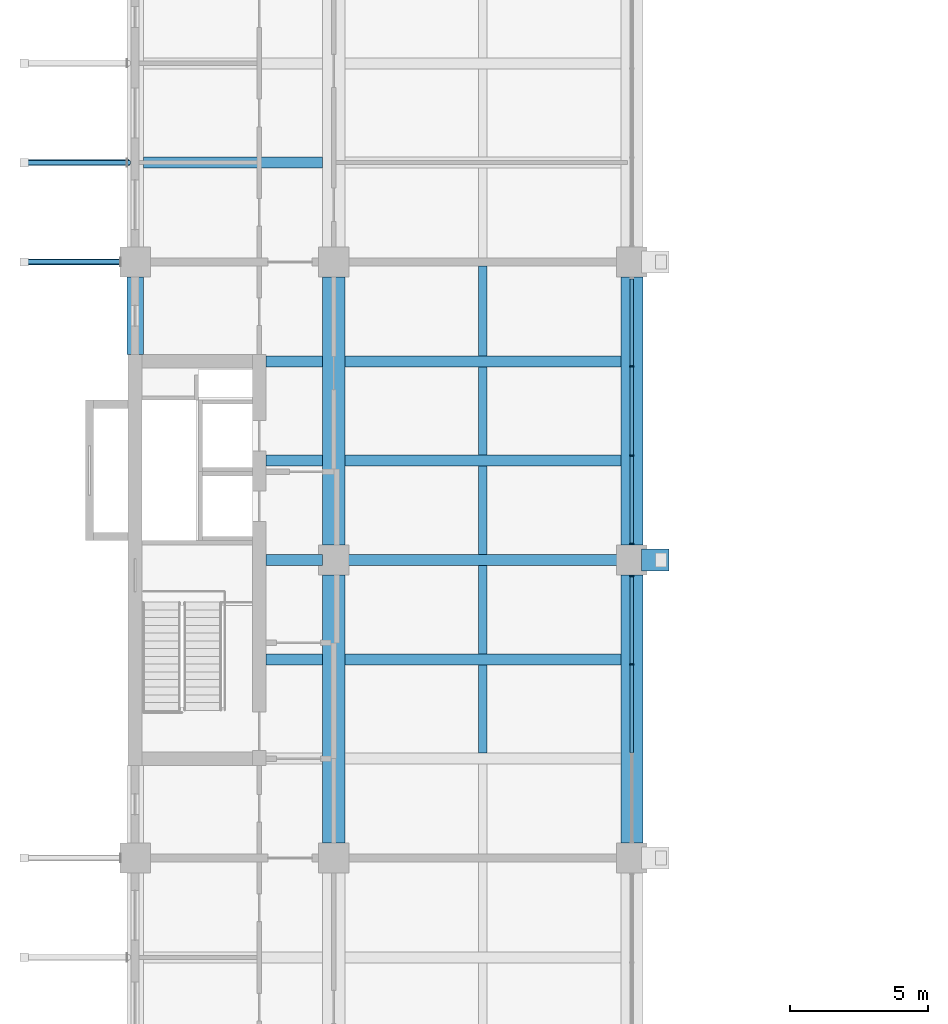
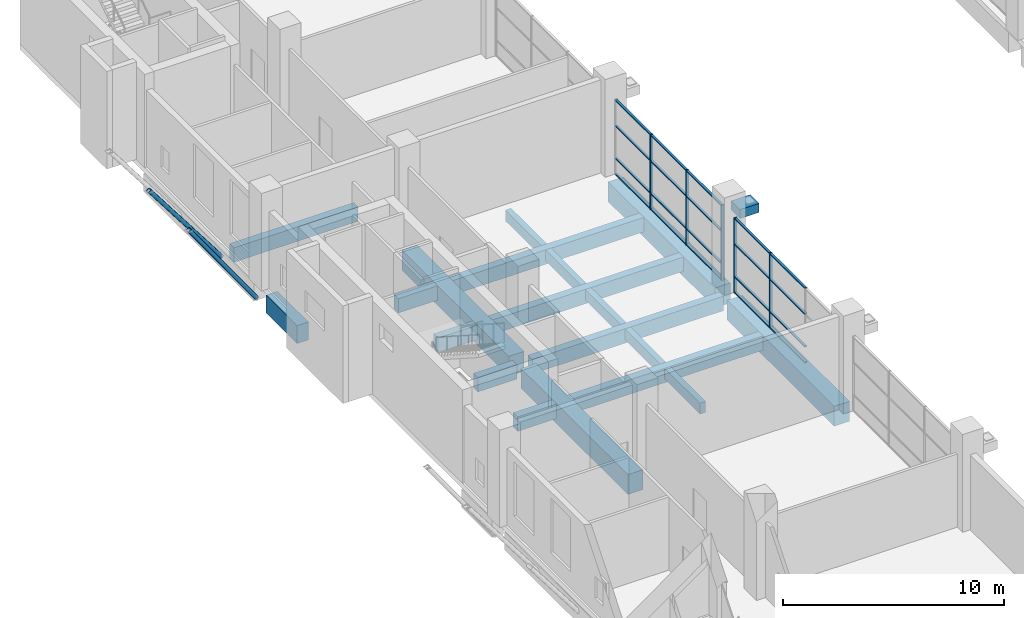
# One storey, part 6 of 38: 27 members, 20 beams, 2 elements without a shape of their own.
"""IFC4 building model written with IfcOpenShell, lengths in metres."""

import ifcopenshell
import ifcopenshell.guid

model = None  # the IFC model being written
_history = None  # IfcOwnerHistory: only IFC2X3 demands one
_inside = {}  # id of a spatial element -> (the spatial element, [elements in it])
_under = {}  # id of a project, library or spatial element -> (it, [spatial elements below it])
_declared = {}  # id of a project -> (the project, [libraries it declares])
_typed = {}  # id of a type object -> (the type object, [elements of that type])
_made_of = {}  # id of a material, layer set ... -> (it, [elements and type objects made of it])


def new_model(schema):
    """Start an empty IFC model of exactly this schema.

    Asked for "IFC4X3", IfcOpenShell would pick the latest addendum, in which some entities
    have other attributes; the version numbers below select the first issue.
    IFC2X3 requires an IfcOwnerHistory on every rooted entity: one is made here for all.
    """
    global model, _history
    if schema == "IFC4X3":
        model = ifcopenshell.file(schema_version=(4, 3, 0, 0))
    else:
        model = ifcopenshell.file(schema=schema)
    _inside.clear()
    _under.clear()
    _declared.clear()
    _typed.clear()
    _made_of.clear()
    _history = None
    if model.schema == "IFC2X3":
        org = make("IfcOrganization", Name="unknown")
        user = make(
            "IfcPersonAndOrganization",
            ThePerson=make("IfcPerson", FamilyName="unknown"),
            TheOrganization=org,
        )
        app = make(
            "IfcApplication",
            ApplicationDeveloper=org,
            Version="unknown",
            ApplicationFullName="unknown",
            ApplicationIdentifier="unknown",
        )
        _history = make(
            "IfcOwnerHistory",
            OwningUser=user,
            OwningApplication=app,
            ChangeAction="ADDED",
            CreationDate=0,
        )
    return model


def make(cls, **values):
    """One entity of the class cls with the attributes given. An attribute that is None is left unset."""
    return model.create_entity(
        cls, **{name: value for name, value in values.items() if value is not None}
    )


def rooted(cls, **values):
    """An entity with a GlobalId (a new one), such as an element, a storey or a relation."""
    return make(cls, GlobalId=ifcopenshell.guid.new(), OwnerHistory=_history, **values)


def si_unit(unit_type, name, prefix=None):
    """IfcSIUnit, for example si_unit("LENGTHUNIT", "METRE", prefix="MILLI")."""
    return make("IfcSIUnit", UnitType=unit_type, Prefix=prefix, Name=name)


def assignment(units):
    """IfcUnitAssignment: the units of a project."""
    return None if units is None else make("IfcUnitAssignment", Units=units)


def point(xyz):
    """IfcCartesianPoint."""
    return None if xyz is None else make("IfcCartesianPoint", Coordinates=xyz)


def direction(xyz):
    """IfcDirection."""
    return None if xyz is None else make("IfcDirection", DirectionRatios=xyz)


def frame(location, z_axis=None, x_axis=None):
    """IfcAxis2Placement3D, a coordinate frame: its origin and axes. An axis left out is left unset."""
    return make(
        "IfcAxis2Placement3D",
        Location=point(location),
        Axis=direction(z_axis),
        RefDirection=direction(x_axis),
    )


def frame_2d(location, x_axis=None):
    """IfcAxis2Placement2D, a coordinate frame in the plane: its origin and x axis."""
    return make(
        "IfcAxis2Placement2D", Location=point(location), RefDirection=direction(x_axis)
    )


def origin():
    """The frame at (0, 0, 0) with its axes left unset."""
    return frame((0.0, 0.0, 0.0))


def origin_2d():
    """The frame at (0, 0) in the plane with its x axis left unset."""
    return frame_2d((0.0, 0.0))


def place(relative_to, where):
    """IfcLocalPlacement: puts the frame where relative to a parent placement (None: the world)."""
    return make(
        "IfcLocalPlacement", PlacementRelTo=relative_to, RelativePlacement=where
    )


def context(
    kind, dimensions, precision=None, world=None, true_north=None, identifier=None
):
    """IfcGeometricRepresentationContext, for example the 3D "Model" context."""
    return make(
        "IfcGeometricRepresentationContext",
        ContextIdentifier=identifier,
        ContextType=kind,
        CoordinateSpaceDimension=dimensions,
        Precision=precision,
        WorldCoordinateSystem=world,
        TrueNorth=true_north,
    )


def subcontext(parent, identifier, kind, view, scale=None):
    """IfcGeometricRepresentationSubContext, for example "Body" below "Model"."""
    return make(
        "IfcGeometricRepresentationSubContext",
        ContextIdentifier=identifier,
        ContextType=kind,
        ParentContext=parent,
        TargetScale=scale,
        TargetView=view,
    )


def project(units=None, contexts=None):
    """IfcProject with its units and contexts."""
    return rooted(
        "IfcProject",
        Name="project",
        RepresentationContexts=contexts,
        UnitsInContext=assignment(units),
    )


def spatial(cls, under=None, at=None, **own):
    """A site, building, storey or space (cls), placed at a placement, below another one or the project."""
    s = rooted(cls, ObjectPlacement=at, **own)
    if under is not None:
        _under.setdefault(under.id(), (under, []))[1].append(s)
    return s


def profile(cls, at=None, kind="AREA", **sizes):
    """A parametric profile (cls). Its sizes go by their IFC names, for example OverallWidth=200.0."""
    return make(cls, ProfileType=kind, Position=at, **sizes)


def rectangle(**sizes):
    """IfcRectangleProfileDef."""
    return profile("IfcRectangleProfileDef", **sizes)


def hollow_circle(**sizes):
    """IfcCircleHollowProfileDef."""
    return profile("IfcCircleHollowProfileDef", **sizes)


def extrude(swept, where, along, depth):
    """IfcExtrudedAreaSolid: the profile swept, set in the frame where, extruded along a direction by depth."""
    return make(
        "IfcExtrudedAreaSolid",
        SweptArea=swept,
        Position=where,
        ExtrudedDirection=direction(along),
        Depth=depth,
    )


def shape(context_of_items, identifier, shape_type, items):
    """IfcShapeRepresentation: the items that make up one representation, for example the "Body"."""
    return make(
        "IfcShapeRepresentation",
        ContextOfItems=context_of_items,
        RepresentationIdentifier=identifier,
        RepresentationType=shape_type,
        Items=items,
    )


def material(Name=None, Category=None):
    """IfcMaterial."""
    return make("IfcMaterial", Name=Name, Category=Category)


def layer(
    of_material, thickness, ventilated=None, Name=None, Category=None, Priority=None
):
    """IfcMaterialLayer: one layer of a wall or slab, of a material (None: an air gap)."""
    return make(
        "IfcMaterialLayer",
        Material=of_material,
        LayerThickness=thickness,
        IsVentilated=ventilated,
        Name=Name,
        Category=Category,
        Priority=Priority,
    )


def layer_set(layers, Name=None):
    """IfcMaterialLayerSet."""
    return make("IfcMaterialLayerSet", MaterialLayers=layers, LayerSetName=Name)


def material_profile(
    of_material, cross_section, Name=None, Category=None, Priority=None
):
    """IfcMaterialProfile: a cross section and its material."""
    return make(
        "IfcMaterialProfile",
        Name=Name,
        Material=of_material,
        Profile=cross_section,
        Priority=Priority,
        Category=Category,
    )


def profile_set(profiles, Name=None, composite=None):
    """IfcMaterialProfileSet."""
    return make(
        "IfcMaterialProfileSet",
        Name=Name,
        MaterialProfiles=profiles,
        CompositeProfile=composite,
    )


def made_of(thing, what):
    """Note that an element or type object is made of a material, layer set ...; save() writes the relation."""
    if what is not None:
        _made_of.setdefault(what.id(), (what, []))[1].append(thing)
    return thing


def type_object(cls, material=None, **own):
    """A type object (cls), such as IfcWallType, which elements share."""
    return made_of(rooted(cls, **own), material)


def element(
    cls,
    number,
    at=None,
    inside=None,
    cuts=None,
    type_object=None,
    material=None,
    context=None,
    identifier="Body",
    shape_type=None,
    held_by="IfcProductDefinitionShape",
    body=None,
    shapes=None,
    **own,
):
    """One element of the class cls, such as IfcWall. Its Tag is "e" and its number.

    at: its placement. inside: the storey or other place that contains it. cuts: it is an
    opening in that element (IfcRelVoidsElement). A single representation is given by context,
    identifier, shape_type and body (its items); several are given by shapes. held_by: the class
    of the entity that holds the representations. save() writes the other relations.
    """
    e = rooted(cls, Tag="e%d" % number, ObjectPlacement=at, **own)
    if body is not None:
        shapes = [shape(context, identifier, shape_type, body)]
    if shapes is not None:
        e.Representation = make(held_by, Representations=shapes)
    if inside is not None:
        _inside.setdefault(inside.id(), (inside, []))[1].append(e)
    if cuts is not None:
        rooted(
            "IfcRelVoidsElement", RelatingBuildingElement=cuts, RelatedOpeningElement=e
        )
    if type_object is not None:
        _typed.setdefault(type_object.id(), (type_object, []))[1].append(e)
    return made_of(e, material)


def aggregate(whole, parts):
    """IfcRelAggregates: a whole, such as a stair, and the parts it consists of."""
    return rooted("IfcRelAggregates", RelatingObject=whole, RelatedObjects=parts)


def save(model, path):
    """Write the relations noted so far, then the file.

    IfcRelAggregates (storeys below a building ...), IfcRelContainedInSpatialStructure (elements
    in a storey), IfcRelDefinesByType, IfcRelAssociatesMaterial and IfcRelDeclares: one each for
    every whole, place, type object, material and project.
    """
    for whole, parts in _under.values():
        aggregate(whole, parts)
    for where, things in _inside.values():
        rooted(
            "IfcRelContainedInSpatialStructure",
            RelatedElements=things,
            RelatingStructure=where,
        )
    for kind, things in _typed.values():
        rooted("IfcRelDefinesByType", RelatedObjects=things, RelatingType=kind)
    for what, things in _made_of.values():
        rooted("IfcRelAssociatesMaterial", RelatedObjects=things, RelatingMaterial=what)
    for by, libraries in _declared.values():
        rooted("IfcRelDeclares", RelatingContext=by, RelatedDefinitions=libraries)
    model.write(path)


model = new_model("IFC4")

# Units and contexts
model_context = context("Model", 3, precision=1e-05, world=origin(), true_north=direction((0.0, 1.0)))
body_context = subcontext(model_context, "Body", "Model", "MODEL_VIEW")
ifc_project = project(units=[si_unit("LENGTHUNIT", "METRE"), si_unit("AREAUNIT", "SQUARE_METRE"), si_unit("VOLUMEUNIT", "CUBIC_METRE"), si_unit("PLANEANGLEUNIT", "RADIAN"), si_unit("MASSUNIT", "GRAM", prefix="KILO")], contexts=[model_context])

# Site, building, storey
site_placement = place(None, origin())
site = spatial("IfcSite", under=ifc_project, at=site_placement, CompositionType="ELEMENT")
building_placement = place(site_placement, origin())
building = spatial("IfcBuilding", under=site, at=building_placement, Name="Basin Gate Institute", CompositionType="ELEMENT")
storey_placement = place(building_placement, frame((0.0, 0.0, 16.800048828125)))
storey = spatial("IfcBuildingStorey", under=building, at=storey_placement, Name="L03", CompositionType="ELEMENT", Elevation=16.800048828125)

# Beams
ifc_material_1 = material(Name="Concrete 40 MPa", Category="concrete")
ifc_material_profile_1 = material_profile(ifc_material_1, rectangle(XDim=0.39990234375, YDim=0.800048828125, at=origin_2d()), Name="Beam B2 400 x 800")
ifc_profile_set_1 = profile_set([ifc_material_profile_1], Name="Concrete 40 MPa")
beam_type_1 = type_object("IfcBeamType", Name="Beam B2 R180", PredefinedType="BEAM", material=ifc_profile_set_1)
beam_1_placement = place(storey_placement, frame((68.800048828125, 63.89990234375, -0.699951171875), z_axis=(1.0, 0.0, 0.0), x_axis=(0.0, 1.0, 0.0)))
element("IfcBeam", 1, at=beam_1_placement, inside=storey, type_object=beam_type_1, material=ifc_profile_set_1, Name="BEAM/L03/W/EW/09", PredefinedType="BEAM", context=body_context, shape_type="SweptSolid", body=[
    extrude(rectangle(XDim=0.39990234375, YDim=0.800048828125, at=origin_2d()), origin(), (0.0, 0.0, 1.0), 10.0),
])
beam_2_placement = place(storey_placement, frame((65.949951171875, 63.89990234375, -0.699951171875), z_axis=(1.0, 0.0, 0.0), x_axis=(0.0, 1.0, 0.0)))
element("IfcBeam", 2, at=beam_2_placement, inside=storey, type_object=beam_type_1, material=ifc_profile_set_1, Name="BEAM/L03/W/CORR/09", PredefinedType="BEAM", context=body_context, shape_type="SweptSolid", body=[
    extrude(rectangle(XDim=0.39990234375, YDim=0.800048828125, at=origin_2d()), origin(), (0.0, 0.0, 1.0), 2.050048828125),
])
beam_3_placement = place(storey_placement, frame((68.800048828125, 67.5, -0.699951171875), z_axis=(1.0, 0.0, 0.0), x_axis=(0.0, 1.0, 0.0)))
element("IfcBeam", 3, at=beam_3_placement, inside=storey, type_object=beam_type_1, material=ifc_profile_set_1, Name="BEAM/L03/W/EW/10", PredefinedType="BEAM", context=body_context, shape_type="SweptSolid", body=[
    extrude(rectangle(XDim=0.39990234375, YDim=0.800048828125, at=origin_2d()), origin(), (0.0, 0.0, 1.0), 10.0),
])
beam_4_placement = place(storey_placement, frame((65.949951171875, 67.5, -0.699951171875), z_axis=(1.0, 0.0, 0.0), x_axis=(0.0, 1.0, 0.0)))
element("IfcBeam", 4, at=beam_4_placement, inside=storey, type_object=beam_type_1, material=ifc_profile_set_1, Name="BEAM/L03/W/CORR/10", PredefinedType="BEAM", context=body_context, shape_type="SweptSolid", body=[
    extrude(rectangle(XDim=0.39990234375, YDim=0.800048828125, at=origin_2d()), origin(), (0.0, 0.0, 1.0), 2.050048828125),
])
beam_5_placement = place(storey_placement, frame((68.800048828125, 71.10009765625, -0.699951171875), z_axis=(1.0, 0.0, 0.0), x_axis=(0.0, 1.0, 0.0)))
element("IfcBeam", 5, at=beam_5_placement, inside=storey, type_object=beam_type_1, material=ifc_profile_set_1, Name="BEAM/L03/W/EW/11", PredefinedType="BEAM", context=body_context, shape_type="SweptSolid", body=[
    extrude(rectangle(XDim=0.39990234375, YDim=0.800048828125, at=origin_2d()), origin(), (0.0, 0.0, 1.0), 10.0),
])
beam_6_placement = place(storey_placement, frame((65.949951171875, 71.10009765625, -0.699951171875), z_axis=(1.0, 0.0, 0.0), x_axis=(0.0, 1.0, 0.0)))
element("IfcBeam", 6, at=beam_6_placement, inside=storey, type_object=beam_type_1, material=ifc_profile_set_1, Name="BEAM/L03/W/CORR/11", PredefinedType="BEAM", context=body_context, shape_type="SweptSolid", body=[
    extrude(rectangle(XDim=0.39990234375, YDim=0.800048828125, at=origin_2d()), origin(), (0.0, 0.0, 1.0), 2.050048828125),
])
beam_7_placement = place(storey_placement, frame((68.800048828125, 74.699951171875, -0.699951171875), z_axis=(1.0, 0.0, 0.0), x_axis=(0.0, 1.0, 0.0)))
element("IfcBeam", 7, at=beam_7_placement, inside=storey, type_object=beam_type_1, material=ifc_profile_set_1, Name="BEAM/L03/W/EW/12", PredefinedType="BEAM", context=body_context, shape_type="SweptSolid", body=[
    extrude(rectangle(XDim=0.39990234375, YDim=0.800048828125, at=origin_2d()), origin(), (0.0, 0.0, 1.0), 10.0),
])
beam_8_placement = place(storey_placement, frame((65.949951171875, 74.699951171875, -0.699951171875), z_axis=(1.0, 0.0, 0.0), x_axis=(0.0, 1.0, 0.0)))
element("IfcBeam", 8, at=beam_8_placement, inside=storey, type_object=beam_type_1, material=ifc_profile_set_1, Name="BEAM/L03/W/CORR/12", PredefinedType="BEAM", context=body_context, shape_type="SweptSolid", body=[
    extrude(rectangle(XDim=0.39990234375, YDim=0.800048828125, at=origin_2d()), origin(), (0.0, 0.0, 1.0), 2.050048828125),
])
beam_9_placement = place(storey_placement, frame((61.5, 81.89990234375, -0.699951171875), z_axis=(1.0, 0.0, 0.0), x_axis=(0.0, 1.0, 0.0)))
element("IfcBeam", 9, at=beam_9_placement, inside=storey, type_object=beam_type_1, material=ifc_profile_set_1, Name="BEAM/L03/W/OUT/14", PredefinedType="BEAM", context=body_context, shape_type="SweptSolid", body=[
    extrude(rectangle(XDim=0.39990234375, YDim=0.800048828125, at=origin_2d()), origin(), (0.0, 0.0, 1.0), 6.5),
])
ifc_material_2 = material(Name="Concrete 40 MPa", Category="concrete")
ifc_material_profile_2 = material_profile(ifc_material_2, rectangle(XDim=0.800048828125, YDim=0.5, at=origin_2d()), Name="Beam CB1 800 x 500")
ifc_profile_set_2 = profile_set([ifc_material_profile_2], Name="Concrete 40 MPa")
beam_type_2 = type_object("IfcBeamType", Name="Beam CB1 R180", PredefinedType="BEAM", material=ifc_profile_set_2)
beam_10_placement = place(storey_placement, frame((79.550048828125, 67.5, 4.099853515625), z_axis=(1.0, 0.0, 0.0), x_axis=(0.0, 1.0, 0.0)))
element("IfcBeam", 10, at=beam_10_placement, inside=storey, type_object=beam_type_2, material=ifc_profile_set_2, Name="Atrium shell corbel R180 4W", PredefinedType="BEAM", context=body_context, shape_type="SweptSolid", body=[
    extrude(rectangle(XDim=0.800048828125, YDim=0.5, at=origin_2d()), origin(), (0.0, 0.0, 1.0), 1.0),
])

# Members
ifc_material_3 = material(Name="Structural steel SN490", Category="steel")
ifc_material_profile_3 = material_profile(ifc_material_3, hollow_circle(Radius=0.109619140625, WallThickness=0.008056640625, at=origin_2d()), Name="CHS219x8")
ifc_profile_set_3 = profile_set([ifc_material_profile_3], Name="Structural steel SN490")
member_type_1 = type_object("IfcMemberType", Name="Capsule bracket TD3", PredefinedType="BRACE", material=ifc_profile_set_3)
member_1_placement = place(storey_placement, frame((60.699951171875, 78.300048828125, -0.699951171875), z_axis=(-0.578927213056, 0.0, 0.815379225871), x_axis=(0.0, -1.0, 0.0)))
element("IfcMember", 11, at=member_1_placement, inside=storey, type_object=member_type_1, material=ifc_profile_set_3, Name="Tray bracket W L04 tray 2.1", PredefinedType="BRACE", context=body_context, shape_type="SweptSolid", body=[
    extrude(hollow_circle(Radius=0.109619140625, WallThickness=0.008056640625, at=origin_2d()), origin(), (0.0, 0.0, 1.0), 6.132080078125),
])
member_2_placement = place(storey_placement, frame((60.949951171875, 81.89990234375, -0.699951171875), z_axis=(-0.605088195885, 0.0, 0.796158448552), x_axis=(0.0, -1.0, 0.0)))
element("IfcMember", 12, at=member_2_placement, inside=storey, type_object=member_type_1, material=ifc_profile_set_3, Name="Tray bracket W L04 tray 2.2", PredefinedType="BRACE", context=body_context, shape_type="SweptSolid", body=[
    extrude(hollow_circle(Radius=0.109619140625, WallThickness=0.008056640625, at=origin_2d()), origin(), (0.0, 0.0, 1.0), 6.2802734375),
])

# Beams
ifc_material_4 = material(Name="Concrete 50 MPa", Category="concrete")
ifc_material_profile_4 = material_profile(ifc_material_4, rectangle(XDim=0.60009765625, YDim=1.0, at=origin_2d()), Name="Edge return beam EB4 600 x 1000")
ifc_profile_set_4 = profile_set([ifc_material_profile_4], Name="Concrete 50 MPa")
beam_type_3 = type_object("IfcBeamType", Name="Edge return beam EB4 R180", PredefinedType="SPANDREL", material=ifc_profile_set_4)
beam_11_placement = place(storey_placement, frame((61.199951171875, 74.949951171875, -0.800048828125), z_axis=(0.0, 1.0, 0.0), x_axis=(-1.0, 0.0, 0.0)))
element("IfcBeam", 13, at=beam_11_placement, inside=storey, type_object=beam_type_3, material=ifc_profile_set_4, Name="BEAM/L03/W/EDGE/3", PredefinedType="SPANDREL", context=body_context, shape_type="SweptSolid", body=[
    extrude(rectangle(XDim=0.60009765625, YDim=1.0, at=origin_2d()), origin(), (0.0, 0.0, 1.0), 2.800048828125),
])
ifc_material_5 = material(Name="Concrete 50 MPa", Category="concrete")
ifc_material_profile_5 = material_profile(ifc_material_5, rectangle(XDim=0.800048828125, YDim=1.10009765625, at=origin_2d()), Name="Girder G2 800 x 1100")
ifc_profile_set_5 = profile_set([ifc_material_profile_5], Name="Concrete 50 MPa")
beam_type_4 = type_object("IfcBeamType", Name="Girder G2 R180", PredefinedType="BEAM", material=ifc_profile_set_5)
for number, where, z_axis, x_axis, name in (
    (14, (68.39990234375, 57.25, -0.85009765625), (0.0, 1.0, 0.0), (-1.0, 0.0, 0.0), "GIR/L03/W5/3"),
    (15, (68.39990234375, 68.050048828125, -0.85009765625), (0.0, 1.0, 0.0), (-1.0, 0.0, 0.0), "GIR/L03/W5/4"),
    (16, (79.199951171875, 57.25, -0.85009765625), (0.0, 1.0, 0.0), (-1.0, 0.0, 0.0), "GIR/L03/W6/3"),
    (17, (79.199951171875, 68.050048828125, -0.85009765625), (0.0, 1.0, 0.0), (-1.0, 0.0, 0.0), "GIR/L03/W6/4"),
):
    element("IfcBeam", number, at=place(storey_placement, frame(where, z_axis=z_axis, x_axis=x_axis)), inside=storey, type_object=beam_type_4, material=ifc_profile_set_5, Name=name, PredefinedType="BEAM", context=body_context, shape_type="SweptSolid", body=[
        extrude(rectangle(XDim=0.800048828125, YDim=1.10009765625, at=origin_2d()), origin(), (0.0, 0.0, 1.0), 9.699951171875),
    ])

# Curtain wall, members
ifc_material_6 = material(Name="Fire-resistant glazing in steel-free frame", Category="steel")
ifc_layer = layer(ifc_material_6, 0.199951171875)
ifc_layer_set = layer_set([ifc_layer], Name="Fire-resistant glazing in steel-free frame")
curtain_wall_type = type_object("IfcCurtainWallType", Name="Atrium rated curtain wall CW3", PredefinedType="NOTDEFINED", material=ifc_layer_set)
curtain_wall_1_placement = place(storey_placement, origin())
curtain_wall_1 = element("IfcCurtainWall", 18, at=curtain_wall_1_placement, inside=storey, type_object=curtain_wall_type, material=ifc_layer_set, Name="Atrium rated curtain wall W wing atrium bay 3 L03", PredefinedType="NOTDEFINED")
ifc_material_7 = material(Name="Aluminium", Category="aluminium")
ifc_material_profile_6 = material_profile(ifc_material_7, rectangle(XDim=0.14990234375, YDim=0.06005859375, at=origin_2d()), Name="Mullion MU3 150 x 60")
ifc_profile_set_6 = profile_set([ifc_material_profile_6], Name="Aluminium")
member_type_2 = type_object("IfcMemberType", Name="Mullion MU3", PredefinedType="MULLION", material=ifc_profile_set_6)
member_3_placement = place(storey_placement, frame((79.199951171875, 63.716552734375, 0.0), z_axis=(0.0, 0.0, 1.0), x_axis=(-1.0, 0.0, 0.0)))
member_3 = element("IfcMember", 19, at=member_3_placement, type_object=member_type_2, material=ifc_profile_set_6, Name="CW3 mullion 3", PredefinedType="MULLION", context=body_context, shape_type="SweptSolid", body=[
    extrude(rectangle(XDim=0.14990234375, YDim=0.06005859375, at=origin_2d()), origin(), (0.0, 0.0, 1.0), 4.14990234375),
])
member_4_placement = place(storey_placement, frame((79.199951171875, 66.919921875, 0.0), z_axis=(0.0, 0.0, 1.0), x_axis=(-1.0, 0.0, 0.0)))
member_4 = element("IfcMember", 20, at=member_4_placement, type_object=member_type_2, material=ifc_profile_set_6, Name="CW3 mullion 4", PredefinedType="MULLION", context=body_context, shape_type="SweptSolid", body=[
    extrude(rectangle(XDim=0.14990234375, YDim=0.06005859375, at=origin_2d()), origin(), (0.0, 0.0, 1.0), 4.14990234375),
])

curtain_wall_2_placement = place(storey_placement, origin())
curtain_wall_2 = element("IfcCurtainWall", 21, at=curtain_wall_2_placement, inside=storey, type_object=curtain_wall_type, material=ifc_layer_set, Name="Atrium rated curtain wall W wing atrium bay 4 L03", PredefinedType="NOTDEFINED")
member_5_placement = place(storey_placement, frame((79.199951171875, 68.080078125, 0.0), z_axis=(0.0, 0.0, 1.0), x_axis=(-1.0, 0.0, 0.0)))
member_5 = element("IfcMember", 22, at=member_5_placement, type_object=member_type_2, material=ifc_profile_set_6, Name="CW3 mullion 1", PredefinedType="MULLION", context=body_context, shape_type="SweptSolid", body=[
    extrude(rectangle(XDim=0.14990234375, YDim=0.06005859375, at=origin_2d()), origin(), (0.0, 0.0, 1.0), 4.14990234375),
])
member_6_placement = place(storey_placement, frame((79.199951171875, 71.283447265625, 0.0), z_axis=(0.0, 0.0, 1.0), x_axis=(-1.0, 0.0, 0.0)))
member_6 = element("IfcMember", 23, at=member_6_placement, type_object=member_type_2, material=ifc_profile_set_6, Name="CW3 mullion 2", PredefinedType="MULLION", context=body_context, shape_type="SweptSolid", body=[
    extrude(rectangle(XDim=0.14990234375, YDim=0.06005859375, at=origin_2d()), origin(), (0.0, 0.0, 1.0), 4.14990234375),
])
member_7_placement = place(storey_placement, frame((79.199951171875, 74.5166015625, 0.0), z_axis=(0.0, 0.0, 1.0), x_axis=(-1.0, 0.0, 0.0)))
member_7 = element("IfcMember", 24, at=member_7_placement, type_object=member_type_2, material=ifc_profile_set_6, Name="CW3 mullion 3", PredefinedType="MULLION", context=body_context, shape_type="SweptSolid", body=[
    extrude(rectangle(XDim=0.14990234375, YDim=0.06005859375, at=origin_2d()), origin(), (0.0, 0.0, 1.0), 4.14990234375),
])

# Beams
ifc_material_8 = material(Name="Concrete 40 MPa", Category="concrete")
ifc_material_profile_7 = material_profile(ifc_material_8, rectangle(XDim=0.300048828125, YDim=0.60009765625, at=origin_2d()), Name="Rib R2 300 x 600")
ifc_profile_set_7 = profile_set([ifc_material_profile_7], Name="Concrete 40 MPa")
beam_type_5 = type_object("IfcBeamType", Name="Rib R2 R180", PredefinedType="JOIST", material=ifc_profile_set_7)
for number, where, z_axis, x_axis, name in (
    (25, (73.800048828125, 60.5, -0.60009765625), (0.0, 1.0, 0.0), (-1.0, 0.0, 0.0), "BEAM/L03/W/RIB/08"),
    (26, (73.800048828125, 64.10009765625, -0.60009765625), (0.0, 1.0, 0.0), (-1.0, 0.0, 0.0), "BEAM/L03/W/RIB/09"),
    (27, (73.800048828125, 67.699951171875, -0.60009765625), (0.0, 1.0, 0.0), (-1.0, 0.0, 0.0), "BEAM/L03/W/RIB/10"),
    (28, (73.800048828125, 71.300048828125, -0.60009765625), (0.0, 1.0, 0.0), (-1.0, 0.0, 0.0), "BEAM/L03/W/RIB/11"),
):
    element("IfcBeam", number, at=place(storey_placement, frame(where, z_axis=z_axis, x_axis=x_axis)), inside=storey, type_object=beam_type_5, material=ifc_profile_set_7, Name=name, PredefinedType="JOIST", context=body_context, shape_type="SweptSolid", body=[
        extrude(rectangle(XDim=0.300048828125, YDim=0.60009765625, at=origin_2d()), origin(), (0.0, 0.0, 1.0), 3.199951171875),
    ])
beam_12_placement = place(storey_placement, frame((73.800048828125, 74.89990234375, -0.60009765625), z_axis=(0.0, 1.0, 0.0), x_axis=(-1.0, 0.0, 0.0)))
element("IfcBeam", 29, at=beam_12_placement, inside=storey, type_object=beam_type_5, material=ifc_profile_set_7, Name="BEAM/L03/W/RIB/12", PredefinedType="JOIST", context=body_context, shape_type="SweptSolid", body=[
    extrude(rectangle(XDim=0.300048828125, YDim=0.60009765625, at=origin_2d()), origin(), (0.0, 0.0, 1.0), 3.25),
])

# Member
ifc_material_9 = material(Name="Aluminium", Category="aluminium")
ifc_material_profile_8 = material_profile(ifc_material_9, rectangle(XDim=0.1201171875, YDim=0.06005859375, at=origin_2d()), Name="Transom TR3 120 x 60")
ifc_profile_set_8 = profile_set([ifc_material_profile_8], Name="Aluminium")
member_type_3 = type_object("IfcMemberType", Name="Transom TR3", PredefinedType="USERDEFINED", material=ifc_profile_set_8)
member_8_placement = place(storey_placement, frame((79.199951171875, 60.513427734375, 0.030029296875), z_axis=(0.0, 1.0, 0.0), x_axis=(-1.0, 0.0, 0.0)))
member_8 = element("IfcMember", 30, at=member_8_placement, type_object=member_type_3, material=ifc_profile_set_8, Name="CW3 transom 2.1", ObjectType="TRANSOM", PredefinedType="USERDEFINED", context=body_context, shape_type="SweptSolid", body=[
    extrude(rectangle(XDim=0.1201171875, YDim=0.06005859375, at=origin_2d()), origin(), (0.0, 0.0, 1.0), 3.17333984375),
])

member_9_placement = place(storey_placement, frame((79.199951171875, 60.513427734375, 0.89990234375), z_axis=(0.0, 1.0, 0.0), x_axis=(-1.0, 0.0, 0.0)))
member_9 = element("IfcMember", 31, at=member_9_placement, type_object=member_type_3, material=ifc_profile_set_8, Name="CW3 transom 2.2", ObjectType="TRANSOM", PredefinedType="USERDEFINED", context=body_context, shape_type="SweptSolid", body=[
    extrude(rectangle(XDim=0.1201171875, YDim=0.06005859375, at=origin_2d()), origin(), (0.0, 0.0, 1.0), 3.17333984375),
])

member_10_placement = place(storey_placement, frame((79.199951171875, 60.513427734375, 2.699951171875), z_axis=(0.0, 1.0, 0.0), x_axis=(-1.0, 0.0, 0.0)))
member_10 = element("IfcMember", 32, at=member_10_placement, type_object=member_type_3, material=ifc_profile_set_8, Name="CW3 transom 2.3", ObjectType="TRANSOM", PredefinedType="USERDEFINED", context=body_context, shape_type="SweptSolid", body=[
    extrude(rectangle(XDim=0.1201171875, YDim=0.06005859375, at=origin_2d()), origin(), (0.0, 0.0, 1.0), 3.17333984375),
])

member_11_placement = place(storey_placement, frame((79.199951171875, 60.513427734375, 4.119873046875), z_axis=(0.0, 1.0, 0.0), x_axis=(-1.0, 0.0, 0.0)))
member_11 = element("IfcMember", 33, at=member_11_placement, type_object=member_type_3, material=ifc_profile_set_8, Name="CW3 transom 2.4", ObjectType="TRANSOM", PredefinedType="USERDEFINED", context=body_context, shape_type="SweptSolid", body=[
    extrude(rectangle(XDim=0.1201171875, YDim=0.06005859375, at=origin_2d()), origin(), (0.0, 0.0, 1.0), 3.17333984375),
])

member_12_placement = place(storey_placement, frame((79.199951171875, 63.74658203125, 0.030029296875), z_axis=(0.0, 1.0, 0.0), x_axis=(-1.0, 0.0, 0.0)))
member_12 = element("IfcMember", 34, at=member_12_placement, type_object=member_type_3, material=ifc_profile_set_8, Name="CW3 transom 3.1", ObjectType="TRANSOM", PredefinedType="USERDEFINED", context=body_context, shape_type="SweptSolid", body=[
    extrude(rectangle(XDim=0.1201171875, YDim=0.06005859375, at=origin_2d()), origin(), (0.0, 0.0, 1.0), 3.143310546875),
])

member_13_placement = place(storey_placement, frame((79.199951171875, 63.74658203125, 0.89990234375), z_axis=(0.0, 1.0, 0.0), x_axis=(-1.0, 0.0, 0.0)))
member_13 = element("IfcMember", 35, at=member_13_placement, type_object=member_type_3, material=ifc_profile_set_8, Name="CW3 transom 3.2", ObjectType="TRANSOM", PredefinedType="USERDEFINED", context=body_context, shape_type="SweptSolid", body=[
    extrude(rectangle(XDim=0.1201171875, YDim=0.06005859375, at=origin_2d()), origin(), (0.0, 0.0, 1.0), 3.143310546875),
])

member_14_placement = place(storey_placement, frame((79.199951171875, 63.74658203125, 2.699951171875), z_axis=(0.0, 1.0, 0.0), x_axis=(-1.0, 0.0, 0.0)))
member_14 = element("IfcMember", 36, at=member_14_placement, type_object=member_type_3, material=ifc_profile_set_8, Name="CW3 transom 3.3", ObjectType="TRANSOM", PredefinedType="USERDEFINED", context=body_context, shape_type="SweptSolid", body=[
    extrude(rectangle(XDim=0.1201171875, YDim=0.06005859375, at=origin_2d()), origin(), (0.0, 0.0, 1.0), 3.143310546875),
])

member_15_placement = place(storey_placement, frame((79.199951171875, 63.74658203125, 4.119873046875), z_axis=(0.0, 1.0, 0.0), x_axis=(-1.0, 0.0, 0.0)))
member_15 = element("IfcMember", 37, at=member_15_placement, type_object=member_type_3, material=ifc_profile_set_8, Name="CW3 transom 3.4", ObjectType="TRANSOM", PredefinedType="USERDEFINED", context=body_context, shape_type="SweptSolid", body=[
    extrude(rectangle(XDim=0.1201171875, YDim=0.06005859375, at=origin_2d()), origin(), (0.0, 0.0, 1.0), 3.143310546875),
])

aggregate(curtain_wall_1, [member_3, member_4, member_8, member_9, member_10, member_11, member_12, member_13, member_14, member_15])

member_16_placement = place(storey_placement, frame((79.199951171875, 68.110107421875, 0.030029296875), z_axis=(0.0, 1.0, 0.0), x_axis=(-1.0, 0.0, 0.0)))
member_16 = element("IfcMember", 38, at=member_16_placement, type_object=member_type_3, material=ifc_profile_set_8, Name="CW3 transom 1.1", ObjectType="TRANSOM", PredefinedType="USERDEFINED", context=body_context, shape_type="SweptSolid", body=[
    extrude(rectangle(XDim=0.1201171875, YDim=0.06005859375, at=origin_2d()), origin(), (0.0, 0.0, 1.0), 3.143310546875),
])

member_17_placement = place(storey_placement, frame((79.199951171875, 68.110107421875, 0.89990234375), z_axis=(0.0, 1.0, 0.0), x_axis=(-1.0, 0.0, 0.0)))
member_17 = element("IfcMember", 39, at=member_17_placement, type_object=member_type_3, material=ifc_profile_set_8, Name="CW3 transom 1.2", ObjectType="TRANSOM", PredefinedType="USERDEFINED", context=body_context, shape_type="SweptSolid", body=[
    extrude(rectangle(XDim=0.1201171875, YDim=0.06005859375, at=origin_2d()), origin(), (0.0, 0.0, 1.0), 3.143310546875),
])

member_18_placement = place(storey_placement, frame((79.199951171875, 68.110107421875, 2.699951171875), z_axis=(0.0, 1.0, 0.0), x_axis=(-1.0, 0.0, 0.0)))
member_18 = element("IfcMember", 40, at=member_18_placement, type_object=member_type_3, material=ifc_profile_set_8, Name="CW3 transom 1.3", ObjectType="TRANSOM", PredefinedType="USERDEFINED", context=body_context, shape_type="SweptSolid", body=[
    extrude(rectangle(XDim=0.1201171875, YDim=0.06005859375, at=origin_2d()), origin(), (0.0, 0.0, 1.0), 3.143310546875),
])

member_19_placement = place(storey_placement, frame((79.199951171875, 68.110107421875, 4.119873046875), z_axis=(0.0, 1.0, 0.0), x_axis=(-1.0, 0.0, 0.0)))
member_19 = element("IfcMember", 41, at=member_19_placement, type_object=member_type_3, material=ifc_profile_set_8, Name="CW3 transom 1.4", ObjectType="TRANSOM", PredefinedType="USERDEFINED", context=body_context, shape_type="SweptSolid", body=[
    extrude(rectangle(XDim=0.1201171875, YDim=0.06005859375, at=origin_2d()), origin(), (0.0, 0.0, 1.0), 3.143310546875),
])

member_20_placement = place(storey_placement, frame((79.199951171875, 71.313232421875, 0.030029296875), z_axis=(0.0, 1.0, 0.0), x_axis=(-1.0, 0.0, 0.0)))
member_20 = element("IfcMember", 42, at=member_20_placement, type_object=member_type_3, material=ifc_profile_set_8, Name="CW3 transom 2.1", ObjectType="TRANSOM", PredefinedType="USERDEFINED", context=body_context, shape_type="SweptSolid", body=[
    extrude(rectangle(XDim=0.1201171875, YDim=0.06005859375, at=origin_2d()), origin(), (0.0, 0.0, 1.0), 3.17333984375),
])

member_21_placement = place(storey_placement, frame((79.199951171875, 71.313232421875, 0.89990234375), z_axis=(0.0, 1.0, 0.0), x_axis=(-1.0, 0.0, 0.0)))
member_21 = element("IfcMember", 43, at=member_21_placement, type_object=member_type_3, material=ifc_profile_set_8, Name="CW3 transom 2.2", ObjectType="TRANSOM", PredefinedType="USERDEFINED", context=body_context, shape_type="SweptSolid", body=[
    extrude(rectangle(XDim=0.1201171875, YDim=0.06005859375, at=origin_2d()), origin(), (0.0, 0.0, 1.0), 3.17333984375),
])

member_22_placement = place(storey_placement, frame((79.199951171875, 71.313232421875, 2.699951171875), z_axis=(0.0, 1.0, 0.0), x_axis=(-1.0, 0.0, 0.0)))
member_22 = element("IfcMember", 44, at=member_22_placement, type_object=member_type_3, material=ifc_profile_set_8, Name="CW3 transom 2.3", ObjectType="TRANSOM", PredefinedType="USERDEFINED", context=body_context, shape_type="SweptSolid", body=[
    extrude(rectangle(XDim=0.1201171875, YDim=0.06005859375, at=origin_2d()), origin(), (0.0, 0.0, 1.0), 3.17333984375),
])

member_23_placement = place(storey_placement, frame((79.199951171875, 71.313232421875, 4.119873046875), z_axis=(0.0, 1.0, 0.0), x_axis=(-1.0, 0.0, 0.0)))
member_23 = element("IfcMember", 45, at=member_23_placement, type_object=member_type_3, material=ifc_profile_set_8, Name="CW3 transom 2.4", ObjectType="TRANSOM", PredefinedType="USERDEFINED", context=body_context, shape_type="SweptSolid", body=[
    extrude(rectangle(XDim=0.1201171875, YDim=0.06005859375, at=origin_2d()), origin(), (0.0, 0.0, 1.0), 3.17333984375),
])

member_24_placement = place(storey_placement, frame((79.199951171875, 74.546630859375, 0.030029296875), z_axis=(0.0, 1.0, 0.0), x_axis=(-1.0, 0.0, 0.0)))
member_24 = element("IfcMember", 46, at=member_24_placement, type_object=member_type_3, material=ifc_profile_set_8, Name="CW3 transom 3.1", ObjectType="TRANSOM", PredefinedType="USERDEFINED", context=body_context, shape_type="SweptSolid", body=[
    extrude(rectangle(XDim=0.1201171875, YDim=0.06005859375, at=origin_2d()), origin(), (0.0, 0.0, 1.0), 3.143310546875),
])

member_25_placement = place(storey_placement, frame((79.199951171875, 74.546630859375, 0.89990234375), z_axis=(0.0, 1.0, 0.0), x_axis=(-1.0, 0.0, 0.0)))
member_25 = element("IfcMember", 47, at=member_25_placement, type_object=member_type_3, material=ifc_profile_set_8, Name="CW3 transom 3.2", ObjectType="TRANSOM", PredefinedType="USERDEFINED", context=body_context, shape_type="SweptSolid", body=[
    extrude(rectangle(XDim=0.1201171875, YDim=0.06005859375, at=origin_2d()), origin(), (0.0, 0.0, 1.0), 3.143310546875),
])

member_26_placement = place(storey_placement, frame((79.199951171875, 74.546630859375, 2.699951171875), z_axis=(0.0, 1.0, 0.0), x_axis=(-1.0, 0.0, 0.0)))
member_26 = element("IfcMember", 48, at=member_26_placement, type_object=member_type_3, material=ifc_profile_set_8, Name="CW3 transom 3.3", ObjectType="TRANSOM", PredefinedType="USERDEFINED", context=body_context, shape_type="SweptSolid", body=[
    extrude(rectangle(XDim=0.1201171875, YDim=0.06005859375, at=origin_2d()), origin(), (0.0, 0.0, 1.0), 3.143310546875),
])

member_27_placement = place(storey_placement, frame((79.199951171875, 74.546630859375, 4.119873046875), z_axis=(0.0, 1.0, 0.0), x_axis=(-1.0, 0.0, 0.0)))
member_27 = element("IfcMember", 49, at=member_27_placement, type_object=member_type_3, material=ifc_profile_set_8, Name="CW3 transom 3.4", ObjectType="TRANSOM", PredefinedType="USERDEFINED", context=body_context, shape_type="SweptSolid", body=[
    extrude(rectangle(XDim=0.1201171875, YDim=0.06005859375, at=origin_2d()), origin(), (0.0, 0.0, 1.0), 3.143310546875),
])

aggregate(curtain_wall_2, [member_5, member_6, member_7, member_16, member_17, member_18, member_19, member_20, member_21, member_22, member_23, member_24, member_25, member_26, member_27])

save(model, "model.ifc")
